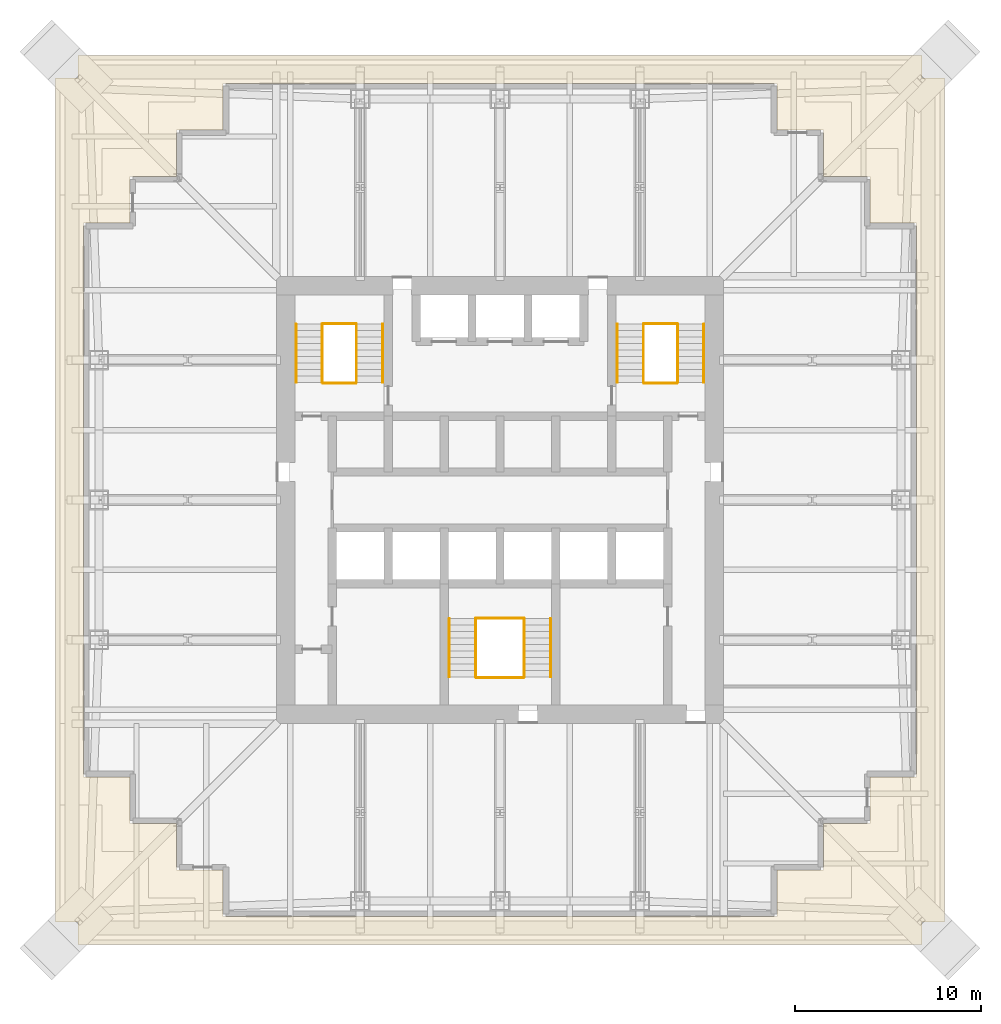
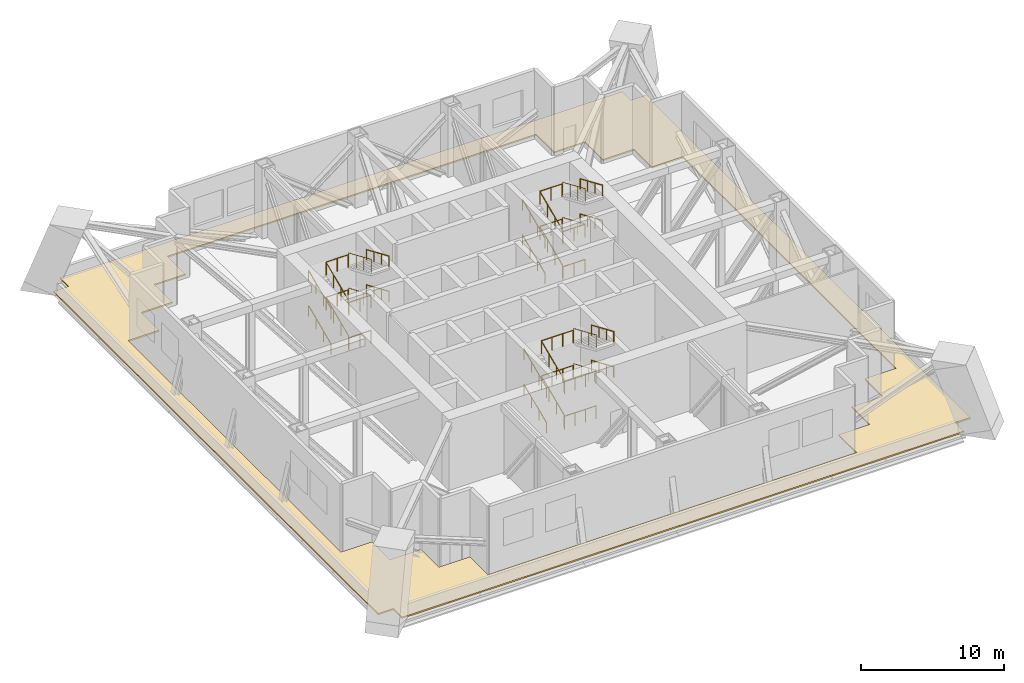
# One storey, part 8 of 8: 36 railings, 1 covering.
"""IFC4 building model written with IfcOpenShell, lengths in metres."""

from ifc_helpers import new_model, si_unit, direction, frame, origin, origin_2d, place, context, subcontext, project, spatial, polyline, circle, outline, extrude, material, layer, layer_set, type_object, element, save


model = new_model("IFC4")

# Units and contexts
model_context = context("Model", 3, precision=1e-05, world=origin(), true_north=direction((0.0, 1.0)))
body_context = subcontext(model_context, "Body", "Model", "MODEL_VIEW")
ifc_project = project(units=[si_unit("LENGTHUNIT", "METRE"), si_unit("AREAUNIT", "SQUARE_METRE"), si_unit("VOLUMEUNIT", "CUBIC_METRE"), si_unit("PLANEANGLEUNIT", "RADIAN"), si_unit("MASSUNIT", "GRAM", prefix="KILO")], contexts=[model_context])

# Site, building, storey
site_placement = place(None, origin())
site = spatial("IfcSite", under=ifc_project, at=site_placement, CompositionType="ELEMENT")
building_placement = place(site_placement, origin())
building = spatial("IfcBuilding", under=site, at=building_placement, Name="Tarangal Relay Tower", CompositionType="ELEMENT")
storey_placement = place(building_placement, frame((0.0, 0.0, 171.89990234375)))
storey = spatial("IfcBuildingStorey", under=building, at=storey_placement, Name="L35", CompositionType="ELEMENT", Elevation=171.89990234375)

# Covering
ifc_material_1 = material(Name="Bituminous membrane on rigid insulation", Category="plastic")
ifc_layer = layer(ifc_material_1, 0.1201171875)
ifc_layer_set = layer_set([ifc_layer], Name="Roof membrane and insulation")
covering_type = type_object("IfcCoveringType", Name="Roof membrane and insulation", PredefinedType="ROOFING", material=ifc_layer_set)
covering_placement = place(storey_placement, origin())
element("IfcCovering", 1, at=covering_placement, inside=storey, type_object=covering_type, Name="Ledge roofing RF2 L35", PredefinedType="ROOFING", context=body_context, shape_type="SweptSolid", body=[
    extrude(outline(polyline([(23.85009765625, -22.639892578125), (23.85009765625, 22.639892578125), (22.639892578125, 22.639892578125), (22.639892578125, 23.85009765625), (-22.639892578125, 23.85009765625), (-22.639892578125, 22.639892578125), (-23.85009765625, 22.639892578125), (-23.85009765625, -22.639892578125), (-22.639892578125, -22.639892578125), (-22.639892578125, -23.85009765625), (22.639892578125, -23.85009765625), (22.639892578125, -22.639892578125), (23.85009765625, -22.639892578125)]), holes=[polyline([(-22.35009765625, 14.85009765625), (-22.35009765625, -14.85009765625), (-19.85009765625, -14.85009765625), (-19.85009765625, -17.35009765625), (-17.35009765625, -17.35009765625), (-17.35009765625, -19.85009765625), (-14.85009765625, -19.85009765625), (-14.85009765625, -22.35009765625), (14.85009765625, -22.35009765625), (14.85009765625, -19.85009765625), (17.35009765625, -19.85009765625), (17.35009765625, -17.35009765625), (19.85009765625, -17.35009765625), (19.85009765625, -14.85009765625), (22.35009765625, -14.85009765625), (22.35009765625, 14.85009765625), (19.85009765625, 14.85009765625), (19.85009765625, 17.35009765625), (17.35009765625, 17.35009765625), (17.35009765625, 19.85009765625), (14.85009765625, 19.85009765625), (14.85009765625, 22.35009765625), (-14.85009765625, 22.35009765625), (-14.85009765625, 19.85009765625), (-17.35009765625, 19.85009765625), (-17.35009765625, 17.35009765625), (-19.85009765625, 17.35009765625), (-19.85009765625, 14.85009765625), (-22.35009765625, 14.85009765625)])]), origin(), (0.0, 0.0, 1.0), 0.1201171875),
])

# Railings
ifc_material_2 = material(Name="Steel guard, black finish", Category="steel")
railing_type_1 = type_object("IfcRailingType", Name="Stair guard 1100", PredefinedType="GUARDRAIL", material=ifc_material_2)
railing_1_placement = place(storey_placement, frame((-9.530029296875, 6.300048828125, 0.150146484375)))
element("IfcRailing", 2, at=railing_1_placement, inside=storey, type_object=railing_type_1, Name="Stair ST-A guard GR1 L35 flight 1", PredefinedType="GUARDRAIL", context=body_context, shape_type="SweptSolid", body=[
    extrude(circle(Radius=0.02392578125, at=origin_2d()), frame((0.0, 0.0, 1.076171875), z_axis=(0.0, 0.918332162045, 0.395810611471), x_axis=(-1.0, 0.0, 0.0)), (0.0, 0.0, 1.0), 3.410400390625),
    extrude(circle(Radius=0.02099609375, at=origin_2d()), origin(), (0.0, 0.0, 1.0), 1.052001953125),
    extrude(circle(Radius=0.02099609375, at=origin_2d()), frame((0.0, 1.0439453125, 0.449951171875)), (0.0, 0.0, 1.0), 1.052001953125),
    extrude(circle(Radius=0.02099609375, at=origin_2d()), frame((0.0, 2.087890625, 0.89990234375)), (0.0, 0.0, 1.0), 1.052001953125),
    extrude(circle(Radius=0.02099609375, at=origin_2d()), frame((0.0, 3.1318359375, 1.349853515625)), (0.0, 0.0, 1.0), 1.052001953125),
])
railing_2_placement = place(storey_placement, frame((-7.695068359375, 9.431884765625, 1.650146484375)))
element("IfcRailing", 3, at=railing_2_placement, inside=storey, type_object=railing_type_1, Name="Stair ST-A guard GR1 L35 flight 2", PredefinedType="GUARDRAIL", context=body_context, shape_type="SweptSolid", body=[
    extrude(circle(Radius=0.02392578125, at=origin_2d()), frame((0.0, 0.0, 1.076171875), z_axis=(0.0, -0.918332162045, 0.395810611471), x_axis=(1.0, 0.0, 0.0)), (0.0, 0.0, 1.0), 3.410400390625),
    extrude(circle(Radius=0.02099609375, at=origin_2d()), origin(), (0.0, 0.0, 1.0), 1.052001953125),
    extrude(circle(Radius=0.02099609375, at=origin_2d()), frame((0.0, -1.0439453125, 0.449951171875)), (0.0, 0.0, 1.0), 1.052001953125),
    extrude(circle(Radius=0.02099609375, at=origin_2d()), frame((0.0, -2.087890625, 0.89990234375)), (0.0, 0.0, 1.0), 1.052001953125),
    extrude(circle(Radius=0.02099609375, at=origin_2d()), frame((0.0, -3.1318359375, 1.349853515625)), (0.0, 0.0, 1.0), 1.052001953125),
])
railing_3_placement = place(storey_placement, frame((-9.530029296875, 6.300048828125, 3.150146484375)))
element("IfcRailing", 4, at=railing_3_placement, inside=storey, type_object=railing_type_1, Name="Stair ST-A guard GR1 L35 flight 3", PredefinedType="GUARDRAIL", context=body_context, shape_type="SweptSolid", body=[
    extrude(circle(Radius=0.02392578125, at=origin_2d()), frame((0.0, 0.0, 1.076171875), z_axis=(0.0, 0.918332162045, 0.395810611471), x_axis=(-1.0, 0.0, 0.0)), (0.0, 0.0, 1.0), 3.410400390625),
    extrude(circle(Radius=0.02099609375, at=origin_2d()), origin(), (0.0, 0.0, 1.0), 1.052001953125),
    extrude(circle(Radius=0.02099609375, at=origin_2d()), frame((0.0, 1.0439453125, 0.449951171875)), (0.0, 0.0, 1.0), 1.052001953125),
    extrude(circle(Radius=0.02099609375, at=origin_2d()), frame((0.0, 2.087890625, 0.89990234375)), (0.0, 0.0, 1.0), 1.052001953125),
    extrude(circle(Radius=0.02099609375, at=origin_2d()), frame((0.0, 3.1318359375, 1.349853515625)), (0.0, 0.0, 1.0), 1.052001953125),
])
railing_4_placement = place(storey_placement, frame((-7.695068359375, 9.431884765625, 4.650146484375)))
element("IfcRailing", 5, at=railing_4_placement, inside=storey, type_object=railing_type_1, Name="Stair ST-A guard GR1 L35 flight 4", PredefinedType="GUARDRAIL", context=body_context, shape_type="SweptSolid", body=[
    extrude(circle(Radius=0.02392578125, at=origin_2d()), frame((0.0, 0.0, 1.076171875), z_axis=(0.0, -0.918332162045, 0.395810611471), x_axis=(1.0, 0.0, 0.0)), (0.0, 0.0, 1.0), 3.410400390625),
    extrude(circle(Radius=0.02099609375, at=origin_2d()), origin(), (0.0, 0.0, 1.0), 1.052001953125),
    extrude(circle(Radius=0.02099609375, at=origin_2d()), frame((0.0, -1.0439453125, 0.449951171875)), (0.0, 0.0, 1.0), 1.052001953125),
    extrude(circle(Radius=0.02099609375, at=origin_2d()), frame((0.0, -2.087890625, 0.89990234375)), (0.0, 0.0, 1.0), 1.052001953125),
    extrude(circle(Radius=0.02099609375, at=origin_2d()), frame((0.0, -3.1318359375, 1.349853515625)), (0.0, 0.0, 1.0), 1.052001953125),
])
for number, where, name in (
    (6, (-9.5, 6.27001953125, 0.0), "Stair ST-A landing guard GR1 L35"),
    (7, (-9.5, 9.4619140625, 1.5), "Stair ST-A landing guard GR1 L35"),
    (8, (-9.5, 6.27001953125, 3.0), "Stair ST-A landing guard GR1 L35"),
    (9, (-9.5, 9.4619140625, 4.5), "Stair ST-A landing guard GR1 L35"),
):
    element("IfcRailing", number, at=place(storey_placement, frame(where)), inside=storey, type_object=railing_type_1, Name=name, PredefinedType="GUARDRAIL", context=body_context, shape_type="SweptSolid", body=[
        extrude(circle(Radius=0.02392578125, at=origin_2d()), frame((0.0, 0.0, 1.076171875), z_axis=(1.0, 0.0, 0.0), x_axis=(0.0, 1.0, 0.0)), (0.0, 0.0, 1.0), 1.77490234375),
        extrude(circle(Radius=0.02099609375, at=origin_2d()), origin(), (0.0, 0.0, 1.0), 1.052001953125),
        extrude(circle(Radius=0.02099609375, at=origin_2d()), frame((0.887451171875, 0.0, 0.0)), (0.0, 0.0, 1.0), 1.052001953125),
        extrude(circle(Radius=0.02099609375, at=origin_2d()), frame((1.77490234375, 0.0, 0.0)), (0.0, 0.0, 1.0), 1.052001953125),
    ])
railing_5_placement = place(storey_placement, frame((7.695068359375, 6.300048828125, 0.150146484375)))
element("IfcRailing", 10, at=railing_5_placement, inside=storey, type_object=railing_type_1, Name="Stair ST-B guard GR1 L35 flight 1", PredefinedType="GUARDRAIL", context=body_context, shape_type="SweptSolid", body=[
    extrude(circle(Radius=0.02392578125, at=origin_2d()), frame((0.0, 0.0, 1.076171875), z_axis=(0.0, 0.918332162045, 0.395810611471), x_axis=(-1.0, 0.0, 0.0)), (0.0, 0.0, 1.0), 3.410400390625),
    extrude(circle(Radius=0.02099609375, at=origin_2d()), origin(), (0.0, 0.0, 1.0), 1.052001953125),
    extrude(circle(Radius=0.02099609375, at=origin_2d()), frame((0.0, 1.0439453125, 0.449951171875)), (0.0, 0.0, 1.0), 1.052001953125),
    extrude(circle(Radius=0.02099609375, at=origin_2d()), frame((0.0, 2.087890625, 0.89990234375)), (0.0, 0.0, 1.0), 1.052001953125),
    extrude(circle(Radius=0.02099609375, at=origin_2d()), frame((0.0, 3.1318359375, 1.349853515625)), (0.0, 0.0, 1.0), 1.052001953125),
])
railing_6_placement = place(storey_placement, frame((9.530029296875, 9.431884765625, 1.650146484375)))
element("IfcRailing", 11, at=railing_6_placement, inside=storey, type_object=railing_type_1, Name="Stair ST-B guard GR1 L35 flight 2", PredefinedType="GUARDRAIL", context=body_context, shape_type="SweptSolid", body=[
    extrude(circle(Radius=0.02392578125, at=origin_2d()), frame((0.0, 0.0, 1.076171875), z_axis=(0.0, -0.918332162045, 0.395810611471), x_axis=(1.0, 0.0, 0.0)), (0.0, 0.0, 1.0), 3.410400390625),
    extrude(circle(Radius=0.02099609375, at=origin_2d()), origin(), (0.0, 0.0, 1.0), 1.052001953125),
    extrude(circle(Radius=0.02099609375, at=origin_2d()), frame((0.0, -1.0439453125, 0.449951171875)), (0.0, 0.0, 1.0), 1.052001953125),
    extrude(circle(Radius=0.02099609375, at=origin_2d()), frame((0.0, -2.087890625, 0.89990234375)), (0.0, 0.0, 1.0), 1.052001953125),
    extrude(circle(Radius=0.02099609375, at=origin_2d()), frame((0.0, -3.1318359375, 1.349853515625)), (0.0, 0.0, 1.0), 1.052001953125),
])
railing_7_placement = place(storey_placement, frame((7.695068359375, 6.300048828125, 3.150146484375)))
element("IfcRailing", 12, at=railing_7_placement, inside=storey, type_object=railing_type_1, Name="Stair ST-B guard GR1 L35 flight 3", PredefinedType="GUARDRAIL", context=body_context, shape_type="SweptSolid", body=[
    extrude(circle(Radius=0.02392578125, at=origin_2d()), frame((0.0, 0.0, 1.076171875), z_axis=(0.0, 0.918332162045, 0.395810611471), x_axis=(-1.0, 0.0, 0.0)), (0.0, 0.0, 1.0), 3.410400390625),
    extrude(circle(Radius=0.02099609375, at=origin_2d()), origin(), (0.0, 0.0, 1.0), 1.052001953125),
    extrude(circle(Radius=0.02099609375, at=origin_2d()), frame((0.0, 1.0439453125, 0.449951171875)), (0.0, 0.0, 1.0), 1.052001953125),
    extrude(circle(Radius=0.02099609375, at=origin_2d()), frame((0.0, 2.087890625, 0.89990234375)), (0.0, 0.0, 1.0), 1.052001953125),
    extrude(circle(Radius=0.02099609375, at=origin_2d()), frame((0.0, 3.1318359375, 1.349853515625)), (0.0, 0.0, 1.0), 1.052001953125),
])
railing_8_placement = place(storey_placement, frame((9.530029296875, 9.431884765625, 4.650146484375)))
element("IfcRailing", 13, at=railing_8_placement, inside=storey, type_object=railing_type_1, Name="Stair ST-B guard GR1 L35 flight 4", PredefinedType="GUARDRAIL", context=body_context, shape_type="SweptSolid", body=[
    extrude(circle(Radius=0.02392578125, at=origin_2d()), frame((0.0, 0.0, 1.076171875), z_axis=(0.0, -0.918332162045, 0.395810611471), x_axis=(1.0, 0.0, 0.0)), (0.0, 0.0, 1.0), 3.410400390625),
    extrude(circle(Radius=0.02099609375, at=origin_2d()), origin(), (0.0, 0.0, 1.0), 1.052001953125),
    extrude(circle(Radius=0.02099609375, at=origin_2d()), frame((0.0, -1.0439453125, 0.449951171875)), (0.0, 0.0, 1.0), 1.052001953125),
    extrude(circle(Radius=0.02099609375, at=origin_2d()), frame((0.0, -2.087890625, 0.89990234375)), (0.0, 0.0, 1.0), 1.052001953125),
    extrude(circle(Radius=0.02099609375, at=origin_2d()), frame((0.0, -3.1318359375, 1.349853515625)), (0.0, 0.0, 1.0), 1.052001953125),
])
for number, where, name in (
    (14, (7.72509765625, 6.27001953125, 0.0), "Stair ST-B landing guard GR1 L35"),
    (15, (7.72509765625, 9.4619140625, 1.5), "Stair ST-B landing guard GR1 L35"),
    (16, (7.72509765625, 6.27001953125, 3.0), "Stair ST-B landing guard GR1 L35"),
    (17, (7.72509765625, 9.4619140625, 4.5), "Stair ST-B landing guard GR1 L35"),
):
    element("IfcRailing", number, at=place(storey_placement, frame(where)), inside=storey, type_object=railing_type_1, Name=name, PredefinedType="GUARDRAIL", context=body_context, shape_type="SweptSolid", body=[
        extrude(circle(Radius=0.02392578125, at=origin_2d()), frame((0.0, 0.0, 1.076171875), z_axis=(1.0, 0.0, 0.0), x_axis=(0.0, 1.0, 0.0)), (0.0, 0.0, 1.0), 1.77490234375),
        extrude(circle(Radius=0.02099609375, at=origin_2d()), origin(), (0.0, 0.0, 1.0), 1.052001953125),
        extrude(circle(Radius=0.02099609375, at=origin_2d()), frame((0.887451171875, 0.0, 0.0)), (0.0, 0.0, 1.0), 1.052001953125),
        extrude(circle(Radius=0.02099609375, at=origin_2d()), frame((1.77490234375, 0.0, 0.0)), (0.0, 0.0, 1.0), 1.052001953125),
    ])
railing_9_placement = place(storey_placement, frame((-1.304931640625, -9.5, 0.150146484375)))
element("IfcRailing", 18, at=railing_9_placement, inside=storey, type_object=railing_type_1, Name="Stair ST-C guard GR1 L35 flight 1", PredefinedType="GUARDRAIL", context=body_context, shape_type="SweptSolid", body=[
    extrude(circle(Radius=0.02392578125, at=origin_2d()), frame((0.0, 0.0, 1.076171875), z_axis=(0.0, 0.918343376364, 0.395784591778), x_axis=(-1.0, 0.0, 0.0)), (0.0, 0.0, 1.0), 3.41064453125),
    extrude(circle(Radius=0.02099609375, at=origin_2d()), origin(), (0.0, 0.0, 1.0), 1.052001953125),
    extrude(circle(Radius=0.02099609375, at=origin_2d()), frame((0.0, 1.0439453125, 0.449951171875)), (0.0, 0.0, 1.0), 1.052001953125),
    extrude(circle(Radius=0.02099609375, at=origin_2d()), frame((0.0, 2.088134765625, 0.89990234375)), (0.0, 0.0, 1.0), 1.052001953125),
    extrude(circle(Radius=0.02099609375, at=origin_2d()), frame((0.0, 3.132080078125, 1.349853515625)), (0.0, 0.0, 1.0), 1.052001953125),
])
railing_10_placement = place(storey_placement, frame((1.304931640625, -6.367919921875, 1.650146484375)))
element("IfcRailing", 19, at=railing_10_placement, inside=storey, type_object=railing_type_1, Name="Stair ST-C guard GR1 L35 flight 2", PredefinedType="GUARDRAIL", context=body_context, shape_type="SweptSolid", body=[
    extrude(circle(Radius=0.02392578125, at=origin_2d()), frame((0.0, 0.0, 1.076171875), z_axis=(0.0, -0.918343376364, 0.395784591778), x_axis=(1.0, 0.0, 0.0)), (0.0, 0.0, 1.0), 3.41064453125),
    extrude(circle(Radius=0.02099609375, at=origin_2d()), origin(), (0.0, 0.0, 1.0), 1.052001953125),
    extrude(circle(Radius=0.02099609375, at=origin_2d()), frame((0.0, -1.0439453125, 0.449951171875)), (0.0, 0.0, 1.0), 1.052001953125),
    extrude(circle(Radius=0.02099609375, at=origin_2d()), frame((0.0, -2.088134765625, 0.89990234375)), (0.0, 0.0, 1.0), 1.052001953125),
    extrude(circle(Radius=0.02099609375, at=origin_2d()), frame((0.0, -3.132080078125, 1.349853515625)), (0.0, 0.0, 1.0), 1.052001953125),
])
railing_11_placement = place(storey_placement, frame((-1.304931640625, -9.5, 3.150146484375)))
element("IfcRailing", 20, at=railing_11_placement, inside=storey, type_object=railing_type_1, Name="Stair ST-C guard GR1 L35 flight 3", PredefinedType="GUARDRAIL", context=body_context, shape_type="SweptSolid", body=[
    extrude(circle(Radius=0.02392578125, at=origin_2d()), frame((0.0, 0.0, 1.076171875), z_axis=(0.0, 0.918343376364, 0.395784591778), x_axis=(-1.0, 0.0, 0.0)), (0.0, 0.0, 1.0), 3.41064453125),
    extrude(circle(Radius=0.02099609375, at=origin_2d()), origin(), (0.0, 0.0, 1.0), 1.052001953125),
    extrude(circle(Radius=0.02099609375, at=origin_2d()), frame((0.0, 1.0439453125, 0.449951171875)), (0.0, 0.0, 1.0), 1.052001953125),
    extrude(circle(Radius=0.02099609375, at=origin_2d()), frame((0.0, 2.088134765625, 0.89990234375)), (0.0, 0.0, 1.0), 1.052001953125),
    extrude(circle(Radius=0.02099609375, at=origin_2d()), frame((0.0, 3.132080078125, 1.349853515625)), (0.0, 0.0, 1.0), 1.052001953125),
])
railing_12_placement = place(storey_placement, frame((1.304931640625, -6.367919921875, 4.650146484375)))
element("IfcRailing", 21, at=railing_12_placement, inside=storey, type_object=railing_type_1, Name="Stair ST-C guard GR1 L35 flight 4", PredefinedType="GUARDRAIL", context=body_context, shape_type="SweptSolid", body=[
    extrude(circle(Radius=0.02392578125, at=origin_2d()), frame((0.0, 0.0, 1.076171875), z_axis=(0.0, -0.918343376364, 0.395784591778), x_axis=(1.0, 0.0, 0.0)), (0.0, 0.0, 1.0), 3.41064453125),
    extrude(circle(Radius=0.02099609375, at=origin_2d()), origin(), (0.0, 0.0, 1.0), 1.052001953125),
    extrude(circle(Radius=0.02099609375, at=origin_2d()), frame((0.0, -1.0439453125, 0.449951171875)), (0.0, 0.0, 1.0), 1.052001953125),
    extrude(circle(Radius=0.02099609375, at=origin_2d()), frame((0.0, -2.088134765625, 0.89990234375)), (0.0, 0.0, 1.0), 1.052001953125),
    extrude(circle(Radius=0.02099609375, at=origin_2d()), frame((0.0, -3.132080078125, 1.349853515625)), (0.0, 0.0, 1.0), 1.052001953125),
])
for number, where, name in (
    (22, (-1.27490234375, -9.530029296875, 0.0), "Stair ST-C landing guard GR1 L35"),
    (23, (-1.27490234375, -6.337890625, 1.5), "Stair ST-C landing guard GR1 L35"),
    (24, (-1.27490234375, -9.530029296875, 3.0), "Stair ST-C landing guard GR1 L35"),
    (25, (-1.27490234375, -6.337890625, 4.5), "Stair ST-C landing guard GR1 L35"),
):
    element("IfcRailing", number, at=place(storey_placement, frame(where)), inside=storey, type_object=railing_type_1, Name=name, PredefinedType="GUARDRAIL", context=body_context, shape_type="SweptSolid", body=[
        extrude(circle(Radius=0.02392578125, at=origin_2d()), frame((0.0, 0.0, 1.076171875), z_axis=(1.0, 0.0, 0.0), x_axis=(0.0, 1.0, 0.0)), (0.0, 0.0, 1.0), 2.5498046875),
        extrude(circle(Radius=0.02099609375, at=origin_2d()), origin(), (0.0, 0.0, 1.0), 1.052001953125),
        extrude(circle(Radius=0.02099609375, at=origin_2d()), frame((0.849853515625, 0.0, 0.0)), (0.0, 0.0, 1.0), 1.052001953125),
        extrude(circle(Radius=0.02099609375, at=origin_2d()), frame((1.699951171875, 0.0, 0.0)), (0.0, 0.0, 1.0), 1.052001953125),
        extrude(circle(Radius=0.02099609375, at=origin_2d()), frame((2.5498046875, 0.0, 0.0)), (0.0, 0.0, 1.0), 1.052001953125),
    ])
ifc_material_3 = material(Name="Steel handrail, black finish", Category="steel")
railing_type_2 = type_object("IfcRailingType", Name="Stair handrail 900", PredefinedType="HANDRAIL", material=ifc_material_3)
railing_13_placement = place(storey_placement, frame((-10.93994140625, 6.300048828125, 0.150146484375)))
element("IfcRailing", 26, at=railing_13_placement, inside=storey, type_object=railing_type_2, Name="Stair ST-A handrail HR1 L35 flight 1", PredefinedType="HANDRAIL", context=body_context, shape_type="SweptSolid", body=[
    extrude(circle(Radius=0.02392578125, at=origin_2d()), frame((0.0, 0.0, 0.8759765625), z_axis=(0.0, 0.918332162045, 0.395810611471), x_axis=(-1.0, 0.0, 0.0)), (0.0, 0.0, 1.0), 3.410400390625),
    extrude(circle(Radius=0.02099609375, at=origin_2d()), origin(), (0.0, 0.0, 1.0), 0.851806640625),
    extrude(circle(Radius=0.02099609375, at=origin_2d()), frame((0.0, 1.0439453125, 0.449951171875)), (0.0, 0.0, 1.0), 0.851806640625),
    extrude(circle(Radius=0.02099609375, at=origin_2d()), frame((0.0, 2.087890625, 0.89990234375)), (0.0, 0.0, 1.0), 0.851806640625),
    extrude(circle(Radius=0.02099609375, at=origin_2d()), frame((0.0, 3.1318359375, 1.349853515625)), (0.0, 0.0, 1.0), 0.851806640625),
])
railing_14_placement = place(storey_placement, frame((-6.284912109375, 9.431884765625, 1.650146484375)))
element("IfcRailing", 27, at=railing_14_placement, inside=storey, type_object=railing_type_2, Name="Stair ST-A handrail HR1 L35 flight 2", PredefinedType="HANDRAIL", context=body_context, shape_type="SweptSolid", body=[
    extrude(circle(Radius=0.02392578125, at=origin_2d()), frame((0.0, 0.0, 0.8759765625), z_axis=(0.0, -0.918332162045, 0.395810611471), x_axis=(1.0, 0.0, 0.0)), (0.0, 0.0, 1.0), 3.410400390625),
    extrude(circle(Radius=0.02099609375, at=origin_2d()), origin(), (0.0, 0.0, 1.0), 0.851806640625),
    extrude(circle(Radius=0.02099609375, at=origin_2d()), frame((0.0, -1.0439453125, 0.449951171875)), (0.0, 0.0, 1.0), 0.851806640625),
    extrude(circle(Radius=0.02099609375, at=origin_2d()), frame((0.0, -2.087890625, 0.89990234375)), (0.0, 0.0, 1.0), 0.851806640625),
    extrude(circle(Radius=0.02099609375, at=origin_2d()), frame((0.0, -3.1318359375, 1.349853515625)), (0.0, 0.0, 1.0), 0.851806640625),
])
railing_15_placement = place(storey_placement, frame((-10.93994140625, 6.300048828125, 3.150146484375)))
element("IfcRailing", 28, at=railing_15_placement, inside=storey, type_object=railing_type_2, Name="Stair ST-A handrail HR1 L35 flight 3", PredefinedType="HANDRAIL", context=body_context, shape_type="SweptSolid", body=[
    extrude(circle(Radius=0.02392578125, at=origin_2d()), frame((0.0, 0.0, 0.8759765625), z_axis=(0.0, 0.918332162045, 0.395810611471), x_axis=(-1.0, 0.0, 0.0)), (0.0, 0.0, 1.0), 3.410400390625),
    extrude(circle(Radius=0.02099609375, at=origin_2d()), origin(), (0.0, 0.0, 1.0), 0.851806640625),
    extrude(circle(Radius=0.02099609375, at=origin_2d()), frame((0.0, 1.0439453125, 0.449951171875)), (0.0, 0.0, 1.0), 0.851806640625),
    extrude(circle(Radius=0.02099609375, at=origin_2d()), frame((0.0, 2.087890625, 0.89990234375)), (0.0, 0.0, 1.0), 0.851806640625),
    extrude(circle(Radius=0.02099609375, at=origin_2d()), frame((0.0, 3.1318359375, 1.349853515625)), (0.0, 0.0, 1.0), 0.851806640625),
])
railing_16_placement = place(storey_placement, frame((-6.284912109375, 9.431884765625, 4.650146484375)))
element("IfcRailing", 29, at=railing_16_placement, inside=storey, type_object=railing_type_2, Name="Stair ST-A handrail HR1 L35 flight 4", PredefinedType="HANDRAIL", context=body_context, shape_type="SweptSolid", body=[
    extrude(circle(Radius=0.02392578125, at=origin_2d()), frame((0.0, 0.0, 0.8759765625), z_axis=(0.0, -0.918332162045, 0.395810611471), x_axis=(1.0, 0.0, 0.0)), (0.0, 0.0, 1.0), 3.410400390625),
    extrude(circle(Radius=0.02099609375, at=origin_2d()), origin(), (0.0, 0.0, 1.0), 0.851806640625),
    extrude(circle(Radius=0.02099609375, at=origin_2d()), frame((0.0, -1.0439453125, 0.449951171875)), (0.0, 0.0, 1.0), 0.851806640625),
    extrude(circle(Radius=0.02099609375, at=origin_2d()), frame((0.0, -2.087890625, 0.89990234375)), (0.0, 0.0, 1.0), 0.851806640625),
    extrude(circle(Radius=0.02099609375, at=origin_2d()), frame((0.0, -3.1318359375, 1.349853515625)), (0.0, 0.0, 1.0), 0.851806640625),
])
railing_17_placement = place(storey_placement, frame((6.284912109375, 6.300048828125, 0.150146484375)))
element("IfcRailing", 30, at=railing_17_placement, inside=storey, type_object=railing_type_2, Name="Stair ST-B handrail HR1 L35 flight 1", PredefinedType="HANDRAIL", context=body_context, shape_type="SweptSolid", body=[
    extrude(circle(Radius=0.02392578125, at=origin_2d()), frame((0.0, 0.0, 0.8759765625), z_axis=(0.0, 0.918332162045, 0.395810611471), x_axis=(-1.0, 0.0, 0.0)), (0.0, 0.0, 1.0), 3.410400390625),
    extrude(circle(Radius=0.02099609375, at=origin_2d()), origin(), (0.0, 0.0, 1.0), 0.851806640625),
    extrude(circle(Radius=0.02099609375, at=origin_2d()), frame((0.0, 1.0439453125, 0.449951171875)), (0.0, 0.0, 1.0), 0.851806640625),
    extrude(circle(Radius=0.02099609375, at=origin_2d()), frame((0.0, 2.087890625, 0.89990234375)), (0.0, 0.0, 1.0), 0.851806640625),
    extrude(circle(Radius=0.02099609375, at=origin_2d()), frame((0.0, 3.1318359375, 1.349853515625)), (0.0, 0.0, 1.0), 0.851806640625),
])
railing_18_placement = place(storey_placement, frame((10.93994140625, 9.431884765625, 1.650146484375)))
element("IfcRailing", 31, at=railing_18_placement, inside=storey, type_object=railing_type_2, Name="Stair ST-B handrail HR1 L35 flight 2", PredefinedType="HANDRAIL", context=body_context, shape_type="SweptSolid", body=[
    extrude(circle(Radius=0.02392578125, at=origin_2d()), frame((0.0, 0.0, 0.8759765625), z_axis=(0.0, -0.918332162045, 0.395810611471), x_axis=(1.0, 0.0, 0.0)), (0.0, 0.0, 1.0), 3.410400390625),
    extrude(circle(Radius=0.02099609375, at=origin_2d()), origin(), (0.0, 0.0, 1.0), 0.851806640625),
    extrude(circle(Radius=0.02099609375, at=origin_2d()), frame((0.0, -1.0439453125, 0.449951171875)), (0.0, 0.0, 1.0), 0.851806640625),
    extrude(circle(Radius=0.02099609375, at=origin_2d()), frame((0.0, -2.087890625, 0.89990234375)), (0.0, 0.0, 1.0), 0.851806640625),
    extrude(circle(Radius=0.02099609375, at=origin_2d()), frame((0.0, -3.1318359375, 1.349853515625)), (0.0, 0.0, 1.0), 0.851806640625),
])
railing_19_placement = place(storey_placement, frame((6.284912109375, 6.300048828125, 3.150146484375)))
element("IfcRailing", 32, at=railing_19_placement, inside=storey, type_object=railing_type_2, Name="Stair ST-B handrail HR1 L35 flight 3", PredefinedType="HANDRAIL", context=body_context, shape_type="SweptSolid", body=[
    extrude(circle(Radius=0.02392578125, at=origin_2d()), frame((0.0, 0.0, 0.8759765625), z_axis=(0.0, 0.918332162045, 0.395810611471), x_axis=(-1.0, 0.0, 0.0)), (0.0, 0.0, 1.0), 3.410400390625),
    extrude(circle(Radius=0.02099609375, at=origin_2d()), origin(), (0.0, 0.0, 1.0), 0.851806640625),
    extrude(circle(Radius=0.02099609375, at=origin_2d()), frame((0.0, 1.0439453125, 0.449951171875)), (0.0, 0.0, 1.0), 0.851806640625),
    extrude(circle(Radius=0.02099609375, at=origin_2d()), frame((0.0, 2.087890625, 0.89990234375)), (0.0, 0.0, 1.0), 0.851806640625),
    extrude(circle(Radius=0.02099609375, at=origin_2d()), frame((0.0, 3.1318359375, 1.349853515625)), (0.0, 0.0, 1.0), 0.851806640625),
])
railing_20_placement = place(storey_placement, frame((10.93994140625, 9.431884765625, 4.650146484375)))
element("IfcRailing", 33, at=railing_20_placement, inside=storey, type_object=railing_type_2, Name="Stair ST-B handrail HR1 L35 flight 4", PredefinedType="HANDRAIL", context=body_context, shape_type="SweptSolid", body=[
    extrude(circle(Radius=0.02392578125, at=origin_2d()), frame((0.0, 0.0, 0.8759765625), z_axis=(0.0, -0.918332162045, 0.395810611471), x_axis=(1.0, 0.0, 0.0)), (0.0, 0.0, 1.0), 3.410400390625),
    extrude(circle(Radius=0.02099609375, at=origin_2d()), origin(), (0.0, 0.0, 1.0), 0.851806640625),
    extrude(circle(Radius=0.02099609375, at=origin_2d()), frame((0.0, -1.0439453125, 0.449951171875)), (0.0, 0.0, 1.0), 0.851806640625),
    extrude(circle(Radius=0.02099609375, at=origin_2d()), frame((0.0, -2.087890625, 0.89990234375)), (0.0, 0.0, 1.0), 0.851806640625),
    extrude(circle(Radius=0.02099609375, at=origin_2d()), frame((0.0, -3.1318359375, 1.349853515625)), (0.0, 0.0, 1.0), 0.851806640625),
])
railing_21_placement = place(storey_placement, frame((-2.715087890625, -9.5, 0.150146484375)))
element("IfcRailing", 34, at=railing_21_placement, inside=storey, type_object=railing_type_2, Name="Stair ST-C handrail HR1 L35 flight 1", PredefinedType="HANDRAIL", context=body_context, shape_type="SweptSolid", body=[
    extrude(circle(Radius=0.02392578125, at=origin_2d()), frame((0.0, 0.0, 0.8759765625), z_axis=(0.0, 0.918343376364, 0.395784591778), x_axis=(-1.0, 0.0, 0.0)), (0.0, 0.0, 1.0), 3.41064453125),
    extrude(circle(Radius=0.02099609375, at=origin_2d()), origin(), (0.0, 0.0, 1.0), 0.851806640625),
    extrude(circle(Radius=0.02099609375, at=origin_2d()), frame((0.0, 1.0439453125, 0.449951171875)), (0.0, 0.0, 1.0), 0.851806640625),
    extrude(circle(Radius=0.02099609375, at=origin_2d()), frame((0.0, 2.088134765625, 0.89990234375)), (0.0, 0.0, 1.0), 0.851806640625),
    extrude(circle(Radius=0.02099609375, at=origin_2d()), frame((0.0, 3.132080078125, 1.349853515625)), (0.0, 0.0, 1.0), 0.851806640625),
])
railing_22_placement = place(storey_placement, frame((2.715087890625, -6.367919921875, 1.650146484375)))
element("IfcRailing", 35, at=railing_22_placement, inside=storey, type_object=railing_type_2, Name="Stair ST-C handrail HR1 L35 flight 2", PredefinedType="HANDRAIL", context=body_context, shape_type="SweptSolid", body=[
    extrude(circle(Radius=0.02392578125, at=origin_2d()), frame((0.0, 0.0, 0.8759765625), z_axis=(0.0, -0.918343376364, 0.395784591778), x_axis=(1.0, 0.0, 0.0)), (0.0, 0.0, 1.0), 3.41064453125),
    extrude(circle(Radius=0.02099609375, at=origin_2d()), origin(), (0.0, 0.0, 1.0), 0.851806640625),
    extrude(circle(Radius=0.02099609375, at=origin_2d()), frame((0.0, -1.0439453125, 0.449951171875)), (0.0, 0.0, 1.0), 0.851806640625),
    extrude(circle(Radius=0.02099609375, at=origin_2d()), frame((0.0, -2.088134765625, 0.89990234375)), (0.0, 0.0, 1.0), 0.851806640625),
    extrude(circle(Radius=0.02099609375, at=origin_2d()), frame((0.0, -3.132080078125, 1.349853515625)), (0.0, 0.0, 1.0), 0.851806640625),
])
railing_23_placement = place(storey_placement, frame((-2.715087890625, -9.5, 3.150146484375)))
element("IfcRailing", 36, at=railing_23_placement, inside=storey, type_object=railing_type_2, Name="Stair ST-C handrail HR1 L35 flight 3", PredefinedType="HANDRAIL", context=body_context, shape_type="SweptSolid", body=[
    extrude(circle(Radius=0.02392578125, at=origin_2d()), frame((0.0, 0.0, 0.8759765625), z_axis=(0.0, 0.918343376364, 0.395784591778), x_axis=(-1.0, 0.0, 0.0)), (0.0, 0.0, 1.0), 3.41064453125),
    extrude(circle(Radius=0.02099609375, at=origin_2d()), origin(), (0.0, 0.0, 1.0), 0.851806640625),
    extrude(circle(Radius=0.02099609375, at=origin_2d()), frame((0.0, 1.0439453125, 0.449951171875)), (0.0, 0.0, 1.0), 0.851806640625),
    extrude(circle(Radius=0.02099609375, at=origin_2d()), frame((0.0, 2.088134765625, 0.89990234375)), (0.0, 0.0, 1.0), 0.851806640625),
    extrude(circle(Radius=0.02099609375, at=origin_2d()), frame((0.0, 3.132080078125, 1.349853515625)), (0.0, 0.0, 1.0), 0.851806640625),
])
railing_24_placement = place(storey_placement, frame((2.715087890625, -6.367919921875, 4.650146484375)))
element("IfcRailing", 37, at=railing_24_placement, inside=storey, type_object=railing_type_2, Name="Stair ST-C handrail HR1 L35 flight 4", PredefinedType="HANDRAIL", context=body_context, shape_type="SweptSolid", body=[
    extrude(circle(Radius=0.02392578125, at=origin_2d()), frame((0.0, 0.0, 0.8759765625), z_axis=(0.0, -0.918343376364, 0.395784591778), x_axis=(1.0, 0.0, 0.0)), (0.0, 0.0, 1.0), 3.41064453125),
    extrude(circle(Radius=0.02099609375, at=origin_2d()), origin(), (0.0, 0.0, 1.0), 0.851806640625),
    extrude(circle(Radius=0.02099609375, at=origin_2d()), frame((0.0, -1.0439453125, 0.449951171875)), (0.0, 0.0, 1.0), 0.851806640625),
    extrude(circle(Radius=0.02099609375, at=origin_2d()), frame((0.0, -2.088134765625, 0.89990234375)), (0.0, 0.0, 1.0), 0.851806640625),
    extrude(circle(Radius=0.02099609375, at=origin_2d()), frame((0.0, -3.132080078125, 1.349853515625)), (0.0, 0.0, 1.0), 0.851806640625),
])

save(model, "model.ifc")
